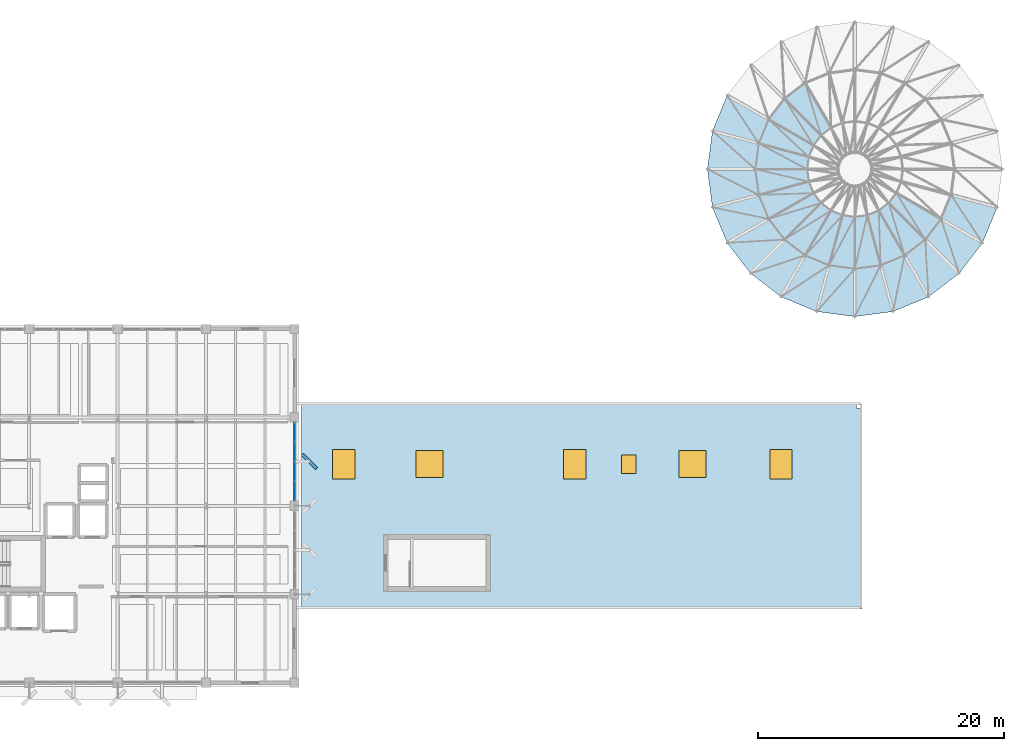
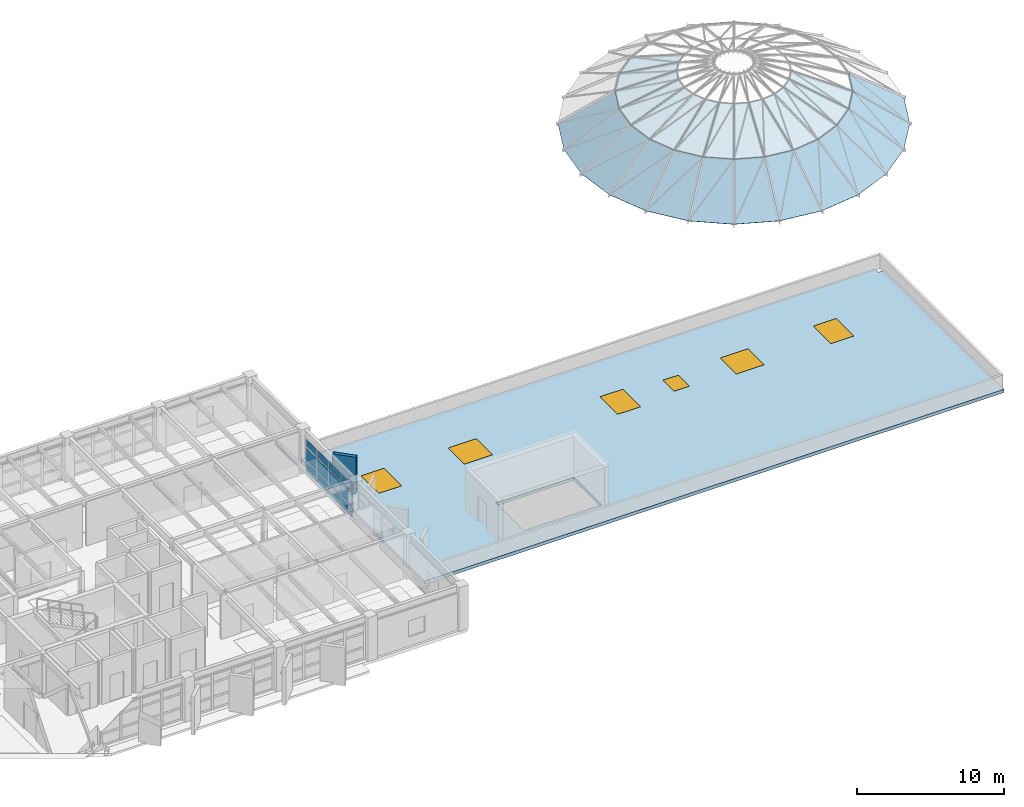
# One storey, part 20 of 32: 40 plates, 6 windows, 1 slab, 6 openings, 1 element without a shape of its own.
"""IFC4 building model written with IfcOpenShell, lengths in metres."""

from ifc_helpers import new_model, si_unit, direction, frame, origin, origin_2d, place, context, subcontext, project, spatial, polyline, rectangle, outline, extrude, material, layer, layer_set, type_object, element, fill, aggregate, save


model = new_model("IFC4")

# Units and contexts
model_context = context("Model", 3, precision=1e-05, world=origin(), true_north=direction((0.0, 1.0)))
body_context = subcontext(model_context, "Body", "Model", "MODEL_VIEW")
ifc_project = project(units=[si_unit("LENGTHUNIT", "METRE"), si_unit("AREAUNIT", "SQUARE_METRE"), si_unit("VOLUMEUNIT", "CUBIC_METRE"), si_unit("PLANEANGLEUNIT", "RADIAN"), si_unit("MASSUNIT", "GRAM", prefix="KILO")], contexts=[model_context])

# Site, building, storey
site_placement = place(None, origin())
site = spatial("IfcSite", under=ifc_project, at=site_placement, CompositionType="ELEMENT")
building_placement = place(site_placement, origin())
building = spatial("IfcBuilding", under=site, at=building_placement, Name="Kandorven Conservatory and Botanical Research Centre", CompositionType="ELEMENT")
storey_placement = place(building_placement, frame((0.0, 0.0, 17.10009765625)))
storey = spatial("IfcBuildingStorey", under=building, at=storey_placement, Name="L04", CompositionType="ELEMENT", Elevation=17.10009765625)

# Curtain wall, plates
ifc_material_1 = material(Name="Bronze anodised thermally broken aluminium", Category="aluminium")
ifc_layer_1 = layer(ifc_material_1, 0.179931640625)
ifc_layer_set_1 = layer_set([ifc_layer_1], Name="Bronze anodised thermally broken aluminium")
curtain_wall_type = type_object("IfcCurtainWallType", Name="CW_Unitised", PredefinedType="USERDEFINED", material=ifc_layer_set_1)
curtain_wall_placement = place(storey_placement, origin())
curtain_wall = element("IfcCurtainWall", 1, at=curtain_wall_placement, inside=storey, type_object=curtain_wall_type, Name="Tower laboratory curtain wall CW-TWR-E-L04-3", ObjectType="UNITISED GLAZING", PredefinedType="USERDEFINED")
ifc_material_2 = material(Name="Double-glazed solar-control low-E glass", Category="glass")
ifc_layer_2 = layer(ifc_material_2, 0.028076171875)
ifc_layer_set_2 = layer_set([ifc_layer_2], Name="Double-glazed solar-control low-E glass")
plate_type_1 = type_object("IfcPlateType", Name="CW_Panel", PredefinedType="CURTAIN_PANEL", material=ifc_layer_set_2)
plate_1_placement = place(storey_placement, frame((42.0, 21.601318359375, 0.14990234375), z_axis=(0.0, 0.0, 1.0), x_axis=(0.0, 1.0, 0.0)))
plate_1 = element("IfcPlate", 2, at=plate_1_placement, type_object=plate_type_1, Name="CW-01 panel 1.1", PredefinedType="CURTAIN_PANEL", context=body_context, shape_type="SweptSolid", body=[
    extrude(rectangle(XDim=1.492431640625, YDim=0.028076171875, at=origin_2d()), origin(), (0.0, 0.0, 1.0), 0.824951171875),
])
plate_2_placement = place(storey_placement, frame((42.0, 21.601318359375, 1.125), z_axis=(0.0, 0.0, 1.0), x_axis=(0.0, 1.0, 0.0)))
plate_2 = element("IfcPlate", 3, at=plate_2_placement, type_object=plate_type_1, Name="CW-01 panel 1.2", PredefinedType="CURTAIN_PANEL", context=body_context, shape_type="SweptSolid", body=[
    extrude(rectangle(XDim=1.492431640625, YDim=0.028076171875, at=origin_2d()), origin(), (0.0, 0.0, 1.0), 1.050048828125),
])
plate_3_placement = place(storey_placement, frame((42.0, 21.601318359375, 2.324951171875), z_axis=(0.0, 0.0, 1.0), x_axis=(0.0, 1.0, 0.0)))
plate_3 = element("IfcPlate", 4, at=plate_3_placement, type_object=plate_type_1, Name="CW-01 panel 1.3", PredefinedType="CURTAIN_PANEL", context=body_context, shape_type="SweptSolid", body=[
    extrude(rectangle(XDim=1.492431640625, YDim=0.028076171875, at=origin_2d()), origin(), (0.0, 0.0, 1.0), 0.56494140625),
])
plate_4_placement = place(storey_placement, frame((42.0, 23.19384765625, 0.14990234375), z_axis=(0.0, 0.0, 1.0), x_axis=(0.0, 1.0, 0.0)))
plate_4 = element("IfcPlate", 5, at=plate_4_placement, type_object=plate_type_1, Name="CW-01 panel 2.1", PredefinedType="CURTAIN_PANEL", context=body_context, shape_type="SweptSolid", body=[
    extrude(rectangle(XDim=1.532470703125, YDim=0.028076171875, at=origin_2d()), origin(), (0.0, 0.0, 1.0), 0.824951171875),
])
plate_5_placement = place(storey_placement, frame((42.0, 23.19384765625, 1.125), z_axis=(0.0, 0.0, 1.0), x_axis=(0.0, 1.0, 0.0)))
plate_5 = element("IfcPlate", 6, at=plate_5_placement, type_object=plate_type_1, Name="CW-01 panel 2.2", PredefinedType="CURTAIN_PANEL", context=body_context, shape_type="SweptSolid", body=[
    extrude(rectangle(XDim=1.532470703125, YDim=0.028076171875, at=origin_2d()), origin(), (0.0, 0.0, 1.0), 1.050048828125),
])
plate_6_placement = place(storey_placement, frame((42.0, 23.19384765625, 2.324951171875), z_axis=(0.0, 0.0, 1.0), x_axis=(0.0, 1.0, 0.0)))
plate_6 = element("IfcPlate", 7, at=plate_6_placement, type_object=plate_type_1, Name="CW-01 panel 2.3", PredefinedType="CURTAIN_PANEL", context=body_context, shape_type="SweptSolid", body=[
    extrude(rectangle(XDim=1.532470703125, YDim=0.028076171875, at=origin_2d()), origin(), (0.0, 0.0, 1.0), 0.56494140625),
])
plate_7_placement = place(storey_placement, frame((42.0, 24.80615234375, 0.14990234375), z_axis=(0.0, 0.0, 1.0), x_axis=(0.0, 1.0, 0.0)))
plate_7 = element("IfcPlate", 8, at=plate_7_placement, type_object=plate_type_1, Name="CW-01 panel 3.1", PredefinedType="CURTAIN_PANEL", context=body_context, shape_type="SweptSolid", body=[
    extrude(rectangle(XDim=1.532470703125, YDim=0.028076171875, at=origin_2d()), origin(), (0.0, 0.0, 1.0), 0.824951171875),
])
plate_8_placement = place(storey_placement, frame((42.0, 24.80615234375, 1.125), z_axis=(0.0, 0.0, 1.0), x_axis=(0.0, 1.0, 0.0)))
plate_8 = element("IfcPlate", 9, at=plate_8_placement, type_object=plate_type_1, Name="CW-01 panel 3.2", PredefinedType="CURTAIN_PANEL", context=body_context, shape_type="SweptSolid", body=[
    extrude(rectangle(XDim=1.532470703125, YDim=0.028076171875, at=origin_2d()), origin(), (0.0, 0.0, 1.0), 1.050048828125),
])
plate_9_placement = place(storey_placement, frame((42.0, 24.80615234375, 2.324951171875), z_axis=(0.0, 0.0, 1.0), x_axis=(0.0, 1.0, 0.0)))
plate_9 = element("IfcPlate", 10, at=plate_9_placement, type_object=plate_type_1, Name="CW-01 panel 3.3", PredefinedType="CURTAIN_PANEL", context=body_context, shape_type="SweptSolid", body=[
    extrude(rectangle(XDim=1.532470703125, YDim=0.028076171875, at=origin_2d()), origin(), (0.0, 0.0, 1.0), 0.56494140625),
])
plate_10_placement = place(storey_placement, frame((42.0, 26.398681640625, 0.14990234375), z_axis=(0.0, 0.0, 1.0), x_axis=(0.0, 1.0, 0.0)))
plate_10 = element("IfcPlate", 11, at=plate_10_placement, type_object=plate_type_1, Name="CW-01 panel 4.1", PredefinedType="CURTAIN_PANEL", context=body_context, shape_type="SweptSolid", body=[
    extrude(rectangle(XDim=1.492431640625, YDim=0.028076171875, at=origin_2d()), origin(), (0.0, 0.0, 1.0), 0.824951171875),
])
plate_11_placement = place(storey_placement, frame((42.0, 26.398681640625, 1.125), z_axis=(0.0, 0.0, 1.0), x_axis=(0.0, 1.0, 0.0)))
plate_11 = element("IfcPlate", 12, at=plate_11_placement, type_object=plate_type_1, Name="CW-01 panel 4.2", PredefinedType="CURTAIN_PANEL", context=body_context, shape_type="SweptSolid", body=[
    extrude(rectangle(XDim=1.492431640625, YDim=0.028076171875, at=origin_2d()), origin(), (0.0, 0.0, 1.0), 1.050048828125),
])
plate_12_placement = place(storey_placement, frame((42.0, 26.398681640625, 2.324951171875), z_axis=(0.0, 0.0, 1.0), x_axis=(0.0, 1.0, 0.0)))
plate_12 = element("IfcPlate", 13, at=plate_12_placement, type_object=plate_type_1, Name="CW-01 panel 4.3", PredefinedType="CURTAIN_PANEL", context=body_context, shape_type="SweptSolid", body=[
    extrude(rectangle(XDim=1.492431640625, YDim=0.028076171875, at=origin_2d()), origin(), (0.0, 0.0, 1.0), 0.56494140625),
])
aggregate(curtain_wall, [plate_1, plate_2, plate_3, plate_4, plate_5, plate_6, plate_7, plate_8, plate_9, plate_10, plate_11, plate_12])

# Plates
ifc_material_3 = material(Name="Tempered laminated solar-control glass", Category="glass")
ifc_layer_3 = layer(ifc_material_3, 0.031982421875)
ifc_layer_set_3 = layer_set([ifc_layer_3], Name="Tempered laminated solar-control glass")
plate_type_2 = type_object("IfcPlateType", Name="DomePlate_DP-03", PredefinedType="SHEET", material=ifc_layer_set_3)
plate_13_placement = place(storey_placement, frame((77.207763671875, 53.800048828125, 0.6318359375), z_axis=(-0.528926937643, 0.219114316818, 0.819893414293), x_axis=(-0.38271822273, -0.923865121099, 2.558031e-06)))
element("IfcPlate", 14, at=plate_13_placement, inside=storey, type_object=plate_type_2, Name="Conservatory dome laminated glass facet DP-03 T3-S11", PredefinedType="SHEET", context=body_context, shape_type="SweptSolid", body=[
    extrude(outline(polyline([(0.0, 0.0), (3.1328003423973083, -2.220446049250313e-16), (2.6235094544965625, 4.715926819767921), (0.5088904097244323, 4.715950265498228), (0.0, 0.0)])), origin(), (0.0, 0.0, -1.0), 0.031982421875),
])
plate_14_placement = place(storey_placement, frame((76.0087890625, 50.90576171875, 0.6318359375), z_axis=(-0.567622389915, 0.074695568863, 0.819893526294), x_axis=(-0.130468733691, -0.991452424239, 1.56608e-07)))
element("IfcPlate", 15, at=plate_14_placement, inside=storey, type_object=plate_type_2, Name="Conservatory dome laminated glass facet DP-03 T3-S12", PredefinedType="SHEET", context=body_context, shape_type="SweptSolid", body=[
    extrude(outline(polyline([(0.0, 0.0), (3.1324880246437554, 5.551115123125783e-17), (2.623673127167567, 4.715939145218252), (0.5091634504074066, 4.715940580496058), (0.0, 0.0)])), origin(), (0.0, 0.0, -1.0), 0.031982421875),
])
plate_15_placement = place(storey_placement, frame((75.60009765625, 47.800048828125, 0.6318359375), z_axis=(-0.567621271834, -0.074691916384, 0.819894633101), x_axis=(0.130459984396, -0.991453575548, -2.079897e-06)))
element("IfcPlate", 16, at=plate_15_placement, inside=storey, type_object=plate_type_2, Name="Conservatory dome laminated glass facet DP-03 T3-S13", PredefinedType="SHEET", context=body_context, shape_type="SweptSolid", body=[
    extrude(outline(polyline([(0.0, 0.0), (3.1327300786136623, 5.551115123125783e-17), (2.623285259951438, 4.715962449541276), (0.5087755832915671, 4.715943386755094), (0.0, 0.0)])), origin(), (0.0, 0.0, -1.0), 0.031982421875),
])
plate_16_placement = place(storey_placement, frame((76.0087890625, 44.694091796875, 0.6318359375), z_axis=(-0.528918739901, -0.219121955803, 0.819896661212), x_axis=(0.382742139199, -0.923855213154, 3.084275e-06)))
element("IfcPlate", 17, at=plate_16_placement, inside=storey, type_object=plate_type_2, Name="Conservatory dome laminated glass facet DP-03 T3-S14", PredefinedType="SHEET", context=body_context, shape_type="SweptSolid", body=[
    extrude(outline(polyline([(0.0, 0.0), (3.1325747906088983, -2.220446049250313e-16), (2.6237997113149527, 4.715962709183398), (0.5091806666120336, 4.715990977240939), (0.0, 0.0)])), origin(), (0.0, 0.0, -1.0), 0.031982421875),
])
plate_17_placement = place(storey_placement, frame((77.207763671875, 41.800048828125, 0.6318359375), z_axis=(-0.454216481553, -0.348514118126, 0.819893467075), x_axis=(0.608741963328, -0.793368276454, 7.16604e-07)))
element("IfcPlate", 18, at=plate_17_placement, inside=storey, type_object=plate_type_2, Name="Conservatory dome laminated glass facet DP-03 T3-S15", PredefinedType="SHEET", context=body_context, shape_type="SweptSolid", body=[
    extrude(outline(polyline([(0.0, 0.0), (3.1326593090462196, -2.220446049250313e-16), (2.6233478710307976, 4.715935880754819), (0.5089628470614752, 4.715942448351277), (0.0, 0.0)])), origin(), (0.0, 0.0, -1.0), 0.031982421875),
])
plate_18_placement = place(storey_placement, frame((79.11474609375, 39.314697265625, 0.6318359375), z_axis=(-0.348516654254, -0.454211708066, 0.819895033503), x_axis=(0.79336656249, -0.608744197107, 3.315562e-06)))
element("IfcPlate", 19, at=plate_18_placement, inside=storey, type_object=plate_type_2, Name="Conservatory dome laminated glass facet DP-03 T3-S16", PredefinedType="SHEET", context=body_context, shape_type="SweptSolid", body=[
    extrude(outline(polyline([(0.0, 0.0), (3.132659309021802, 0.0), (2.623696462005195, 4.715942448339899), (0.5089691258777389, 4.715972837181564), (0.0, 0.0)])), origin(), (0.0, 0.0, -1.0), 0.031982421875),
])
plate_19_placement = place(storey_placement, frame((81.60009765625, 37.40771484375, 0.6318359375), z_axis=(-0.219076482117, -0.528937576474, 0.819896661279), x_axis=(0.923884521759, -0.382671386912, -9.641544e-06)))
element("IfcPlate", 20, at=plate_19_placement, inside=storey, type_object=plate_type_2, Name="Conservatory dome laminated glass facet DP-03 T3-S17", PredefinedType="SHEET", context=body_context, shape_type="SweptSolid", body=[
    extrude(outline(polyline([(0.0, 0.0), (3.132481355143873, 0.0), (2.6235791021138177, 4.716021028824225), (0.5090534870400827, 4.715932665108066), (0.0, 0.0)])), origin(), (0.0, 0.0, -1.0), 0.031982421875),
])
plate_20_placement = place(storey_placement, frame((84.494140625, 36.208984375, 0.6318359375), z_axis=(-0.074744283749, -0.567614377193, 0.819894633993), x_axis=(0.991442850997, -0.130541461325, 9.117645e-06)))
element("IfcPlate", 21, at=plate_20_placement, inside=storey, type_object=plate_type_2, Name="Conservatory dome laminated glass facet DP-03 T3-S18", PredefinedType="SHEET", context=body_context, shape_type="SweptSolid", body=[
    extrude(outline(polyline([(0.0, 0.0), (3.132761938011823, 0.0), (2.623687604231149, 4.715911146615043), (0.5091460626624879, 4.715994713151182), (0.0, 0.0)])), origin(), (0.0, 0.0, -1.0), 0.031982421875),
])
plate_21_placement = place(storey_placement, frame((87.60009765625, 35.800048828125, 0.6318359375), z_axis=(0.074751180096, -0.567613469106, 0.81989463394), x_axis=(0.991441438302, 0.130552190012, -1.0045239e-05)))
element("IfcPlate", 22, at=plate_21_placement, inside=storey, type_object=plate_type_2, Name="Conservatory dome laminated glass facet DP-03 T3-S19", PredefinedType="SHEET", context=body_context, shape_type="SweptSolid", body=[
    extrude(outline(polyline([(0.0, 0.0), (3.1325198864523247, -5.551115123125783e-17), (2.62341316140665, 4.715998959907497), (0.5091136701557246, 4.715906900128918), (0.0, 0.0)])), origin(), (0.0, 0.0, -1.0), 0.031982421875),
])
plate_22_placement = place(storey_placement, frame((90.705810546875, 36.208984375, 0.6318359375), z_axis=(0.219065285973, -0.528937181853, 0.819899907388), x_axis=(0.923894426412, 0.382647473308, 3.999811e-06)))
element("IfcPlate", 23, at=plate_22_placement, inside=storey, type_object=plate_type_2, Name="Conservatory dome laminated glass facet DP-03 T3-S20", PredefinedType="SHEET", context=body_context, shape_type="SweptSolid", body=[
    extrude(outline(polyline([(0.0, 0.0), (3.132706913831923, -1.1102230246251565e-16), (2.623312553841489, 4.7159968114741675), (0.5087869369736006, 4.716033471185266), (0.0, 0.0)])), origin(), (0.0, 0.0, -1.0), 0.031982421875),
])
plate_23_placement = place(storey_placement, frame((93.60009765625, 37.40771484375, 0.6318359375), z_axis=(0.348525016374, -0.454195968679, 0.819900198193), x_axis=(0.793341495275, 0.608776865397, 5.659783e-06)))
element("IfcPlate", 24, at=plate_23_placement, inside=storey, type_object=plate_type_2, Name="Conservatory dome laminated glass facet DP-03 T3-S21", PredefinedType="SHEET", context=body_context, shape_type="SweptSolid", body=[
    extrude(outline(polyline([(0.0, 0.0), (3.132465619145863, 2.220446049250313e-16), (2.623679943838011, 4.715992632354882), (0.50895260820104, 4.716044505960045), (0.0, 0.0)])), origin(), (0.0, 0.0, -1.0), 0.031982421875),
])
plate_24_placement = place(storey_placement, frame((96.085205078125, 39.314697265625, 0.6318359375), z_axis=(0.454216481553, -0.348514118126, 0.819893467075), x_axis=(0.608741963328, 0.793368276454, -7.16604e-07)))
element("IfcPlate", 25, at=plate_24_placement, inside=storey, type_object=plate_type_2, Name="Conservatory dome laminated glass facet DP-03 T3-S22", PredefinedType="SHEET", context=body_context, shape_type="SweptSolid", body=[
    extrude(outline(polyline([(0.0, 0.0), (3.1326593090462196, 2.220446049250313e-16), (2.623696461984744, 4.715942448351277), (0.5093114380154214, 4.71593588075482), (0.0, 0.0)])), origin(), (0.0, 0.0, -1.0), 0.031982421875),
])
plate_25_placement = place(storey_placement, frame((97.9921875, 41.800048828125, 0.6318359375), z_axis=(0.528918739901, -0.219121955803, 0.819896661212), x_axis=(0.382742139199, 0.923855213154, -3.084275e-06)))
element("IfcPlate", 26, at=plate_25_placement, inside=storey, type_object=plate_type_2, Name="Conservatory dome laminated glass facet DP-03 T3-S23", PredefinedType="SHEET", context=body_context, shape_type="SweptSolid", body=[
    extrude(outline(polyline([(0.0, 0.0), (3.1325747906088983, 2.220446049250313e-16), (2.6233941239968646, 4.715990977240939), (0.5087750792939456, 4.715962709183398), (0.0, 0.0)])), origin(), (0.0, 0.0, -1.0), 0.031982421875),
])
ifc_material_4 = material(Name="Tempered laminated solar-control glass", Category="glass")
ifc_layer_4 = layer(ifc_material_4, 0.030029296875)
ifc_layer_set_4 = layer_set([ifc_layer_4], Name="Tempered laminated solar-control glass")
plate_type_3 = type_object("IfcPlateType", Name="DomePlate_DP-04", PredefinedType="SHEET", material=ifc_layer_set_4)
plate_26_placement = place(storey_placement, frame((83.550048828125, 54.814697265625, 3.329833984375), z_axis=(-0.230080284831, 0.299861387733, 0.925821910887), x_axis=(-0.793406618856, -0.608691988187, -2.5919211e-05)))
element("IfcPlate", 27, at=plate_26_placement, inside=storey, type_object=plate_type_3, Name="Conservatory dome laminated glass facet DP-04 T4-S09", PredefinedType="SHEET", context=body_context, shape_type="SweptSolid", body=[
    extrude(outline(polyline([(0.0, 0.0), (2.1145787222907897, 0.0), (1.5659376193732308, 4.497808230492449), (0.5478570399826603, 4.497593403393992), (0.0, 0.0)])), origin(), (0.0, 0.0, -1.0), 0.030029296875),
])
plate_27_placement = place(storey_placement, frame((81.872314453125, 53.527587890625, 3.329833984375), z_axis=(-0.299845884601, 0.23009099171, 0.925824271134), x_axis=(-0.608745160923, -0.793365822765, 1.7927458e-05)))
element("IfcPlate", 28, at=plate_27_placement, inside=storey, type_object=plate_type_3, Name="Conservatory dome laminated glass facet DP-04 T4-S10", PredefinedType="SHEET", context=body_context, shape_type="SweptSolid", body=[
    extrude(outline(polyline([(0.0, 0.0), (2.114385023584895, -1.1102230246251565e-16), (1.566429024774451, 4.497695338994376), (0.5483484326626819, 4.497843920849288), (0.0, 0.0)])), origin(), (0.0, 0.0, -1.0), 0.030029296875),
])
plate_28_placement = place(storey_placement, frame((80.585205078125, 51.85009765625, 3.329833984375), z_axis=(-0.349187237053, 0.144623309484, 0.925825238278), x_axis=(-0.382717779223, -0.923865304344, -2.9925806e-05)))
element("IfcPlate", 29, at=plate_28_placement, inside=storey, type_object=plate_type_3, Name="Conservatory dome laminated glass facet DP-04 T4-S11", PredefinedType="SHEET", context=body_context, shape_type="SweptSolid", body=[
    extrude(outline(polyline([(0.0, 0.0), (2.114619043820018, 1.1102230246251565e-16), (1.5662205505921343, 4.497921852952087), (0.548132690362883, 4.497673808737576), (0.0, 0.0)])), origin(), (0.0, 0.0, -1.0), 0.030029296875),
])
plate_29_placement = place(storey_placement, frame((79.77587890625, 49.896484375, 3.329833984375), z_axis=(-0.374717787465, 0.049339854886, 0.925825123054), x_axis=(-0.130480272457, -0.991450905383, 2.6748891e-05)))
element("IfcPlate", 30, at=plate_29_placement, inside=storey, type_object=plate_type_3, Name="Conservatory dome laminated glass facet DP-04 T4-S12", PredefinedType="SHEET", context=body_context, shape_type="SweptSolid", body=[
    extrude(outline(polyline([(0.0, 0.0), (2.1145096758781947, 0.0), (1.566544374472425, 4.497683610217196), (0.5485341715083446, 4.497905308726038), (0.0, 0.0)])), origin(), (0.0, 0.0, -1.0), 0.030029296875),
])
plate_30_placement = place(storey_placement, frame((79.5, 47.800048828125, 3.329833984375), z_axis=(-0.374719518458, -0.049336204482, 0.925824616984), x_axis=(0.130478831681, -0.991451095085, -2.318904e-05)))
element("IfcPlate", 31, at=plate_30_placement, inside=storey, type_object=plate_type_3, Name="Conservatory dome laminated glass facet DP-04 T4-S13", PredefinedType="SHEET", context=body_context, shape_type="SweptSolid", body=[
    extrude(outline(polyline([(0.0, 0.0), (2.1145096760974664, 0.0), (1.5662175579991608, 4.497875818469766), (0.54796530178749, 4.497683610273777), (0.0, 0.0)])), origin(), (0.0, 0.0, -1.0), 0.030029296875),
])
plate_31_placement = place(storey_placement, frame((79.77587890625, 45.70361328125, 3.329833984375), z_axis=(-0.349186281032, -0.144635113874, 0.925823754812), x_axis=(0.382721714995, -0.923863674192, 1.9490327e-05)))
element("IfcPlate", 32, at=plate_31_placement, inside=storey, type_object=plate_type_3, Name="Conservatory dome laminated glass facet DP-04 T4-S14", PredefinedType="SHEET", context=body_context, shape_type="SweptSolid", body=[
    extrude(outline(polyline([(0.0, 0.0), (2.114619044456116, 0.0), (1.56648635298592, 4.497673808901694), (0.548624046246579, 4.49783534401239), (0.0, 0.0)])), origin(), (0.0, 0.0, -1.0), 0.030029296875),
])
plate_32_placement = place(storey_placement, frame((80.585205078125, 43.75, 3.329833984375), z_axis=(-0.299861387733, -0.230080284831, 0.925821910887), x_axis=(0.60873978403, -0.793369948598, -1.325679e-06)))
element("IfcPlate", 33, at=plate_32_placement, inside=storey, type_object=plate_type_3, Name="Conservatory dome laminated glass facet DP-04 T4-S15", PredefinedType="SHEET", context=body_context, shape_type="SweptSolid", body=[
    extrude(outline(polyline([(0.0, 0.0), (2.114385023979128, 3.3306690738754696e-16), (1.56623028454576, 4.497706326765414), (0.5479559994967417, 4.497695339096094), (0.0, 0.0)])), origin(), (0.0, 0.0, -1.0), 0.030029296875),
])
plate_33_placement = place(storey_placement, frame((81.872314453125, 42.072509765625, 3.329833984375), z_axis=(-0.230080284831, -0.299861387733, 0.925821910887), x_axis=(0.793358826609, -0.608754279002, -6.133027e-06)))
element("IfcPlate", 34, at=plate_33_placement, inside=storey, type_object=plate_type_3, Name="Conservatory dome laminated glass facet DP-04 T4-S16", PredefinedType="SHEET", context=body_context, shape_type="SweptSolid", body=[
    extrude(outline(polyline([(0.0, 0.0), (2.114727336337345, 0.0), (1.566340266157791, 4.497726250304737), (0.5484082938601411, 4.497675417727164), (0.0, 0.0)])), origin(), (0.0, 0.0, -1.0), 0.030029296875),
])
plate_34_placement = place(storey_placement, frame((83.550048828125, 40.78515625, 3.329833984375), z_axis=(-0.144626090585, -0.349193951912, 0.925822271211), x_axis=(0.923900292945, -0.382633308328, 7.399251e-06)))
element("IfcPlate", 35, at=plate_34_placement, inside=storey, type_object=plate_type_3, Name="Conservatory dome laminated glass facet DP-04 T4-S17", PredefinedType="SHEET", context=body_context, shape_type="SweptSolid", body=[
    extrude(outline(polyline([(0.0, 0.0), (2.114525617173371, 1.1102230246251565e-16), (1.5664391769129273, 4.4976806713345825), (0.5482578808174079, 4.4977419998764585), (0.0, 0.0)])), origin(), (0.0, 0.0, -1.0), 0.030029296875),
])
plate_35_placement = place(storey_placement, frame((85.503662109375, 39.97607421875, 3.329833984375), z_axis=(-0.049366386619, -0.374725042101, 0.925820772447), x_axis=(0.991436846813, -0.130587054018, 1.0169758e-05)))
element("IfcPlate", 36, at=plate_35_placement, inside=storey, type_object=plate_type_3, Name="Conservatory dome laminated glass facet DP-04 T4-S18", PredefinedType="SHEET", context=body_context, shape_type="SweptSolid", body=[
    extrude(outline(polyline([(0.0, 0.0), (2.1145415433793455, -5.551115123125783e-17), (1.5660995809142968, 4.497625511996452), (0.547847308938322, 4.497709805348626), (0.0, 0.0)])), origin(), (0.0, 0.0, -1.0), 0.030029296875),
])
plate_36_placement = place(storey_placement, frame((87.60009765625, 39.699951171875, 3.329833984375), z_axis=(0.049374016278, -0.374724037625, 0.925820772149), x_axis=(0.991434779069, 0.130602751532, -1.201803e-05)))
element("IfcPlate", 37, at=plate_36_placement, inside=storey, type_object=plate_type_3, Name="Conservatory dome laminated glass facet DP-04 T4-S19", PredefinedType="SHEET", context=body_context, shape_type="SweptSolid", body=[
    extrude(outline(polyline([(0.0, 0.0), (2.114299493425334, 0.0), (1.5665149729787893, 4.4977174528849115), (0.5485047492833092, 4.4976178552822565), (0.0, 0.0)])), origin(), (0.0, 0.0, -1.0), 0.030029296875),
])
plate_37_placement = place(storey_placement, frame((89.6962890625, 39.97607421875, 3.329833984375), z_axis=(0.144626090585, -0.349193951912, 0.925822271211), x_axis=(0.923900292945, 0.382633308328, -7.399251e-06)))
element("IfcPlate", 38, at=plate_37_placement, inside=storey, type_object=plate_type_3, Name="Conservatory dome laminated glass facet DP-04 T4-S20", PredefinedType="SHEET", context=body_context, shape_type="SweptSolid", body=[
    extrude(outline(polyline([(0.0, 0.0), (2.114525617173371, -1.1102230246251565e-16), (1.5662677363559632, 4.4977419998764585), (0.5480864402604437, 4.4976806713345825), (0.0, 0.0)])), origin(), (0.0, 0.0, -1.0), 0.030029296875),
])
plate_38_placement = place(storey_placement, frame((91.64990234375, 40.78515625, 3.329833984375), z_axis=(0.230080284831, -0.299861387733, 0.925821910887), x_axis=(0.793358826609, 0.608754279002, 6.133027e-06)))
element("IfcPlate", 39, at=plate_38_placement, inside=storey, type_object=plate_type_3, Name="Conservatory dome laminated glass facet DP-04 T4-S21", PredefinedType="SHEET", context=body_context, shape_type="SweptSolid", body=[
    extrude(outline(polyline([(0.0, 0.0), (2.114727336337345, 0.0), (1.5663190424772035, 4.497675417727165), (0.5483870701795537, 4.497726250304737), (0.0, 0.0)])), origin(), (0.0, 0.0, -1.0), 0.030029296875),
])
plate_39_placement = place(storey_placement, frame((93.32763671875, 42.072509765625, 3.329833984375), z_axis=(0.299861387733, -0.230080284831, 0.925821910887), x_axis=(0.60873978403, 0.793369948598, 1.325679e-06)))
element("IfcPlate", 40, at=plate_39_placement, inside=storey, type_object=plate_type_3, Name="Conservatory dome laminated glass facet DP-04 T4-S22", PredefinedType="SHEET", context=body_context, shape_type="SweptSolid", body=[
    extrude(outline(polyline([(0.0, 0.0), (2.114385023979128, -3.3306690738754696e-16), (1.5664290244823862, 4.497695339096094), (0.5481547394333676, 4.497706326765414), (0.0, 0.0)])), origin(), (0.0, 0.0, -1.0), 0.030029296875),
])
ifc_material_5 = material(Name="Precast concrete C40/50 (M50)", Category="concrete")
ifc_layer_5 = layer(ifc_material_5, 0.260009765625)
ifc_layer_set_5 = layer_set([ifc_layer_5], Name="Precast concrete C40/50 (M50)")
plate_type_4 = type_object("IfcPlateType", Name="Fin_BF-05", PredefinedType="USERDEFINED", material=ifc_layer_set_5)
plate_40_placement = place(storey_placement, frame((43.219970703125, 24.0, -0.1201171875), z_axis=(0.0, 0.0, 1.0), x_axis=(-0.707106781187, 0.707106781187, 0.0)))
element("IfcPlate", 41, at=plate_40_placement, inside=storey, type_object=plate_type_4, Name="Sculpted board-marked concrete brise-soleil fin BF-05", ObjectType="SOLAR FIN", PredefinedType="USERDEFINED", context=body_context, shape_type="SweptSolid", body=[
    extrude(rectangle(XDim=1.639892578125, YDim=0.260009765625, at=origin_2d()), origin(), (0.0, 0.0, 1.0), 3.159912109375),
])

# Slab, openings, windows
ifc_material_6 = material(Name="Concrete C32/40 (M40)", Category="concrete")
ifc_layer_6 = layer(ifc_material_6, 0.27490234375)
ifc_layer_set_6 = layer_set([ifc_layer_6], Name="Concrete C32/40 (M40)")
slab_type = type_object("IfcSlabType", Name="Slab_RS-01", PredefinedType="ROOF", material=ifc_layer_set_6)
slab_placement = place(storey_placement, frame((0.0, 0.0, -0.275146484375)))
slab = element("IfcSlab", 42, at=slab_placement, inside=storey, type_object=slab_type, Name="Visitor and education centre overhanging shade roof slab", PredefinedType="ROOF", context=body_context, shape_type="SweptSolid", body=[
    extrude(outline(polyline([(42.56005859375, 12.0), (88.199951171875, 12.0), (88.199951171875, 28.35009765625), (87.75, 28.35009765625), (87.75, 28.800048828125), (42.56005859375, 28.800048828125), (42.56005859375, 12.0)]), holes=[polyline([(51.43994140625, 13.85009765625), (57.580078125, 13.85009765625), (57.580078125, 17.639892578125), (51.43994140625, 17.639892578125), (51.43994140625, 13.85009765625)])]), origin(), (0.0, 0.0, 1.0), 0.275146484375),
])
opening_1_placement = place(slab_placement, frame((69.199951171875, 23.800048828125, 0.0)))
opening_1 = element("IfcOpeningElement", 43, at=opening_1_placement, cuts=slab, Name="Opening RH-01", PredefinedType="OPENING", context=body_context, shape_type="SweptSolid", body=[
    extrude(rectangle(XDim=1.199951171875, YDim=1.5, at=origin_2d()), origin(), (0.0, 0.0, 1.0), 0.275146484375),
])
opening_2_placement = place(slab_placement, frame((46.0, 23.800048828125, 0.0)))
opening_2 = element("IfcOpeningElement", 44, at=opening_2_placement, cuts=slab, Name="Opening RH-02", PredefinedType="OPENING", context=body_context, shape_type="SweptSolid", body=[
    extrude(rectangle(XDim=1.800048828125, YDim=2.39990234375, at=origin_2d()), origin(), (0.0, 0.0, 1.0), 0.275146484375),
])
opening_3_placement = place(slab_placement, frame((53.0, 23.800048828125, 0.0)))
opening_3 = element("IfcOpeningElement", 45, at=opening_3_placement, cuts=slab, Name="Opening RH-03", PredefinedType="OPENING", context=body_context, shape_type="SweptSolid", body=[
    extrude(rectangle(XDim=2.199951171875, YDim=2.199951171875, at=origin_2d()), origin(), (0.0, 0.0, 1.0), 0.275146484375),
])
opening_4_placement = place(slab_placement, frame((64.800048828125, 23.800048828125, 0.0)))
opening_4 = element("IfcOpeningElement", 46, at=opening_4_placement, cuts=slab, Name="Opening RH-02", PredefinedType="OPENING", context=body_context, shape_type="SweptSolid", body=[
    extrude(rectangle(XDim=1.800048828125, YDim=2.39990234375, at=origin_2d()), origin(), (0.0, 0.0, 1.0), 0.275146484375),
])
opening_5_placement = place(slab_placement, frame((74.39990234375, 23.800048828125, 0.0)))
opening_5 = element("IfcOpeningElement", 47, at=opening_5_placement, cuts=slab, Name="Opening RH-03", PredefinedType="OPENING", context=body_context, shape_type="SweptSolid", body=[
    extrude(rectangle(XDim=2.199951171875, YDim=2.199951171875, at=origin_2d()), origin(), (0.0, 0.0, 1.0), 0.275146484375),
])
opening_6_placement = place(slab_placement, frame((81.60009765625, 23.800048828125, 0.0)))
opening_6 = element("IfcOpeningElement", 48, at=opening_6_placement, cuts=slab, Name="Opening RH-02", PredefinedType="OPENING", context=body_context, shape_type="SweptSolid", body=[
    extrude(rectangle(XDim=1.800048828125, YDim=2.39990234375, at=origin_2d()), origin(), (0.0, 0.0, 1.0), 0.275146484375),
])
ifc_material_7 = material(Name="Double-glazed solar-control low-E glass", Category="glass")
window_type_1 = type_object("IfcWindowType", Name="Win_RH-01", PartitioningType="DOUBLE_PANEL_VERTICAL", PredefinedType="SKYLIGHT", material=ifc_material_7)
window_1_placement = place(opening_1_placement, frame((0.0, 0.0, 0.22509765625)))
window_1 = element("IfcWindow", 49, at=window_1_placement, inside=storey, type_object=window_type_1, Name="Visitor wing roof maintenance access hatch RH-01", OverallHeight=1.5, OverallWidth=1.199951171875, PartitioningType="SINGLE_PANEL", PredefinedType="SKYLIGHT", context=body_context, shape_type="SweptSolid", body=[
    extrude(rectangle(XDim=1.199951171875, YDim=1.5, at=origin_2d()), origin(), (0.0, 0.0, 1.0), 0.050048828125),
])
fill(opening_1, window_1)
ifc_material_8 = material(Name="Double-glazed solar-control low-E glass", Category="glass")
window_type_2 = type_object("IfcWindowType", Name="Win_RH-02", PartitioningType="DOUBLE_PANEL_VERTICAL", PredefinedType="SKYLIGHT", material=ifc_material_8)
window_2_placement = place(opening_2_placement, frame((0.0, 0.0, 0.22509765625)))
window_2 = element("IfcWindow", 50, at=window_2_placement, inside=storey, type_object=window_type_2, Name="Visitor library north-light roof skylight RH-02 #1", OverallHeight=2.39990234375, OverallWidth=1.800048828125, PartitioningType="SINGLE_PANEL", PredefinedType="SKYLIGHT", context=body_context, shape_type="SweptSolid", body=[
    extrude(rectangle(XDim=1.800048828125, YDim=2.39990234375, at=origin_2d()), origin(), (0.0, 0.0, 1.0), 0.050048828125),
])
fill(opening_2, window_2)
window_3_placement = place(opening_4_placement, frame((0.0, 0.0, 0.22509765625)))
window_3 = element("IfcWindow", 51, at=window_3_placement, inside=storey, type_object=window_type_2, Name="Visitor library north-light roof skylight RH-02 #3", OverallHeight=2.39990234375, OverallWidth=1.800048828125, PartitioningType="SINGLE_PANEL", PredefinedType="SKYLIGHT", context=body_context, shape_type="SweptSolid", body=[
    extrude(rectangle(XDim=1.800048828125, YDim=2.39990234375, at=origin_2d()), origin(), (0.0, 0.0, 1.0), 0.050048828125),
])
fill(opening_4, window_3)
window_4_placement = place(opening_6_placement, frame((0.0, 0.0, 0.22509765625)))
window_4 = element("IfcWindow", 52, at=window_4_placement, inside=storey, type_object=window_type_2, Name="Visitor library north-light roof skylight RH-02 #5", OverallHeight=2.39990234375, OverallWidth=1.800048828125, PartitioningType="SINGLE_PANEL", PredefinedType="SKYLIGHT", context=body_context, shape_type="SweptSolid", body=[
    extrude(rectangle(XDim=1.800048828125, YDim=2.39990234375, at=origin_2d()), origin(), (0.0, 0.0, 1.0), 0.050048828125),
])
fill(opening_6, window_4)
ifc_material_9 = material(Name="Double-glazed solar-control low-E glass", Category="glass")
window_type_3 = type_object("IfcWindowType", Name="Win_RH-03", PartitioningType="DOUBLE_PANEL_VERTICAL", PredefinedType="SKYLIGHT", material=ifc_material_9)
window_5_placement = place(opening_3_placement, frame((0.0, 0.0, 0.22509765625)))
window_5 = element("IfcWindow", 53, at=window_5_placement, inside=storey, type_object=window_type_3, Name="Visitor library north-light roof skylight RH-03 #2", OverallHeight=2.199951171875, OverallWidth=2.199951171875, PartitioningType="SINGLE_PANEL", PredefinedType="SKYLIGHT", context=body_context, shape_type="SweptSolid", body=[
    extrude(rectangle(XDim=2.199951171875, YDim=2.199951171875, at=origin_2d()), origin(), (0.0, 0.0, 1.0), 0.050048828125),
])
fill(opening_3, window_5)
window_6_placement = place(opening_5_placement, frame((0.0, 0.0, 0.22509765625)))
window_6 = element("IfcWindow", 54, at=window_6_placement, inside=storey, type_object=window_type_3, Name="Visitor library north-light roof skylight RH-03 #4", OverallHeight=2.199951171875, OverallWidth=2.199951171875, PartitioningType="SINGLE_PANEL", PredefinedType="SKYLIGHT", context=body_context, shape_type="SweptSolid", body=[
    extrude(rectangle(XDim=2.199951171875, YDim=2.199951171875, at=origin_2d()), origin(), (0.0, 0.0, 1.0), 0.050048828125),
])
fill(opening_5, window_6)

save(model, "model.ifc")
